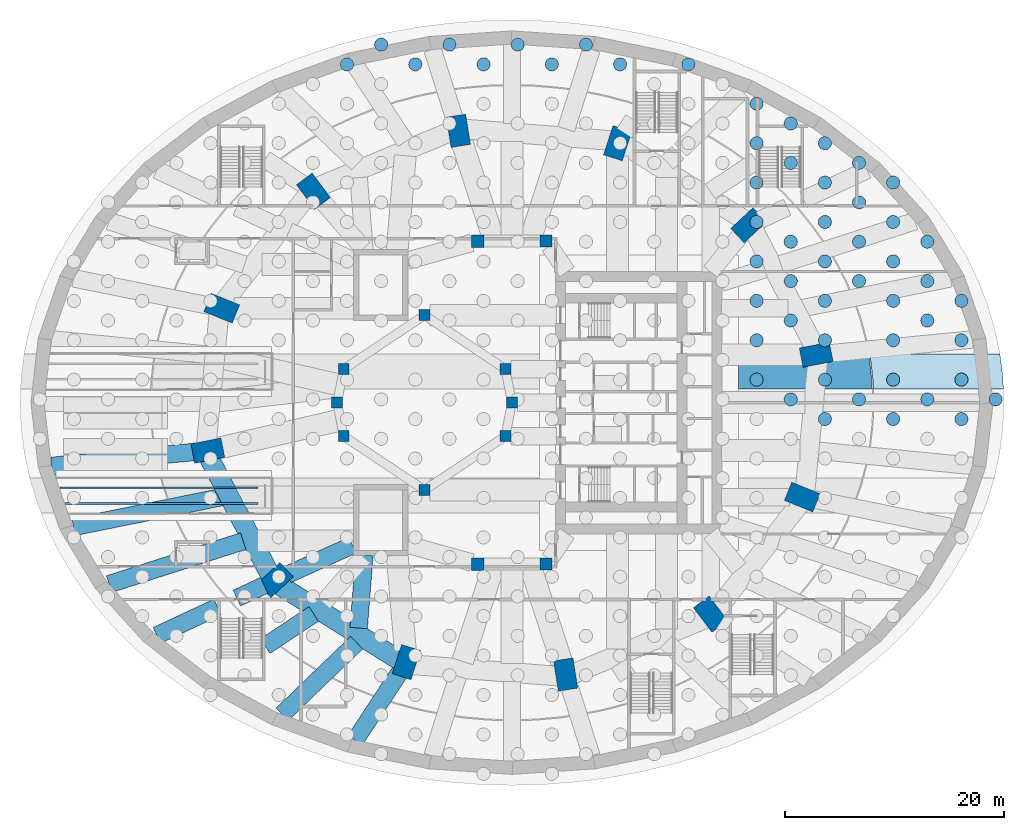
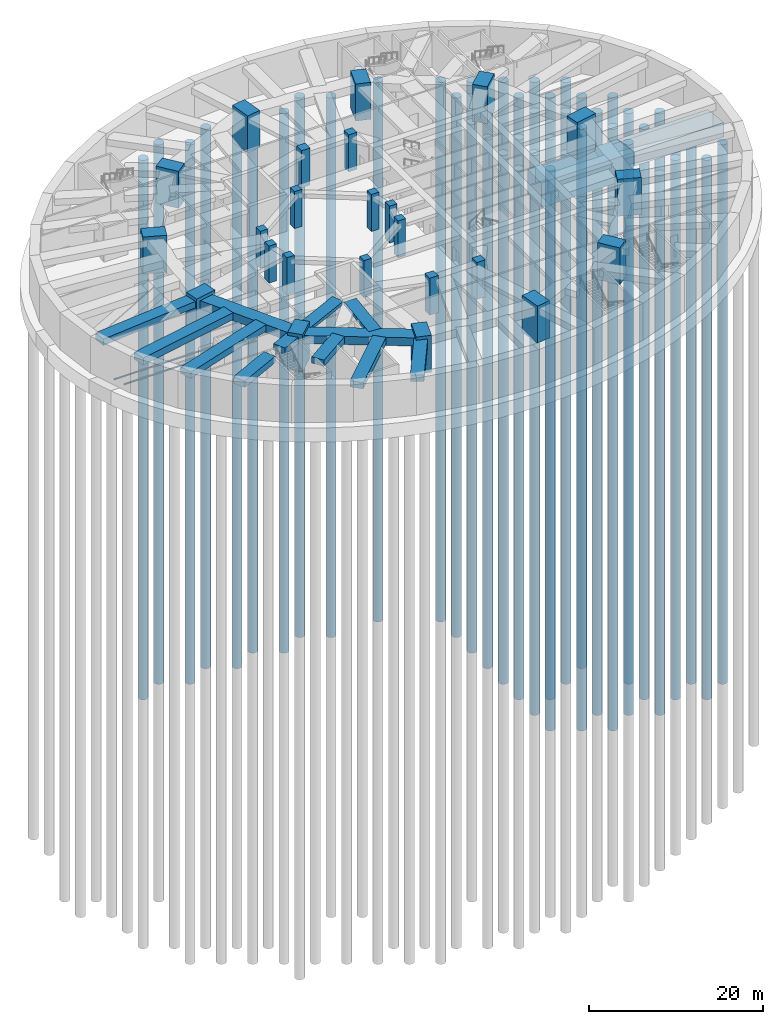
# One storey, part 4 of 18: 53 piles, 24 columns, 12 beams, 2 footings, 2 members.
"""IFC4 building model written with IfcOpenShell, lengths in metres."""

from ifc_helpers import new_model, si_unit, direction, frame, origin, origin_with_axes, origin_2d, place, context, subcontext, project, spatial, polyline, rectangle, circle, i_section, outline, extrude, material, layer, layer_set, material_profile, profile_set, type_object, element, save


model = new_model("IFC4")

# Units and contexts
model_context = context("Model", 3, precision=1e-05, world=origin(), true_north=direction((0.0, 1.0)))
body_context = subcontext(model_context, "Body", "Model", "MODEL_VIEW")
ifc_project = project(units=[si_unit("LENGTHUNIT", "METRE"), si_unit("AREAUNIT", "SQUARE_METRE"), si_unit("VOLUMEUNIT", "CUBIC_METRE"), si_unit("PLANEANGLEUNIT", "RADIAN"), si_unit("MASSUNIT", "GRAM", prefix="KILO")], contexts=[model_context])

# Site, building, storey
site_placement = place(None, origin())
site = spatial("IfcSite", under=ifc_project, at=site_placement, CompositionType="ELEMENT")
building_placement = place(site_placement, origin())
building = spatial("IfcBuilding", under=site, at=building_placement, Name="Taillehof Tower", CompositionType="ELEMENT")
storey_placement = place(building_placement, frame((0.0, 0.0, -10.39990234375)))
storey = spatial("IfcBuildingStorey", under=building, at=storey_placement, Name="B2", CompositionType="ELEMENT", Elevation=-10.39990234375)

# Piles
ifc_material_1 = material(Name="Concrete C30/37", Category="concrete")
ifc_material_profile_1 = material_profile(ifc_material_1, circle(Radius=0.60009765625, at=origin_2d()), Name="BP D1200")
ifc_profile_set_1 = profile_set([ifc_material_profile_1], Name="Concrete C30/37")
pile_type = type_object("IfcPileType", Name="Bored pile D1200", PredefinedType="BORED", material=ifc_profile_set_1)
pile_1_placement = place(storey_placement, frame((28.618408203125, -1.501708984375, -3.402099609375), z_axis=(0.0, 0.0, -1.0), x_axis=(1.0, 0.0, 0.0)))
element("IfcPile", 1, at=pile_1_placement, inside=storey, type_object=pile_type, Name="Pile 171", PredefinedType="BORED", context=body_context, shape_type="SweptSolid", body=[
    extrude(circle(Radius=0.60009765625, at=origin_2d()), origin(), (0.0, 0.0, 1.0), 74.298095703125),
])
for number, where, z_axis, x_axis, name in (
    (2, (34.8623046875, -1.501708984375, -1.902099609375), (0.0, 0.0, -1.0), (1.0, 0.0, 0.0), "Pile 172"),
    (3, (41.106201171875, -1.50146484375, -1.902099609375), (0.0, 0.0, -1.0), (1.0, 0.0, 0.0), "Pile 173"),
):
    element("IfcPile", number, at=place(storey_placement, frame(where, z_axis=z_axis, x_axis=x_axis)), inside=storey, type_object=pile_type, Name=name, PredefinedType="BORED", context=body_context, shape_type="SweptSolid", body=[
        extrude(circle(Radius=0.60009765625, at=origin_2d()), origin(), (0.0, 0.0, 1.0), 75.798095703125),
    ])
for number, where, z_axis, x_axis, name in (
    (4, (25.496337890625, 0.30078125, -3.402099609375), (0.0, 0.0, -1.0), (1.0, 0.0, 0.0), "Pile 185"),
    (5, (31.740234375, 0.30078125, -3.402099609375), (0.0, 0.0, -1.0), (1.0, 0.0, 0.0), "Pile 186"),
):
    element("IfcPile", number, at=place(storey_placement, frame(where, z_axis=z_axis, x_axis=x_axis)), inside=storey, type_object=pile_type, Name=name, PredefinedType="BORED", context=body_context, shape_type="SweptSolid", body=[
        extrude(circle(Radius=0.60009765625, at=origin_2d()), origin(), (0.0, 0.0, 1.0), 74.298095703125),
    ])
for number, where, z_axis, x_axis, name in (
    (6, (37.984375, 0.30078125, -1.902099609375), (0.0, 0.0, -1.0), (1.0, 0.0, 0.0), "Pile 187"),
    (7, (44.228271484375, 0.301025390625, -1.902099609375), (0.0, 0.0, -1.0), (1.0, 0.0, 0.0), "Pile 188"),
):
    element("IfcPile", number, at=place(storey_placement, frame(where, z_axis=z_axis, x_axis=x_axis)), inside=storey, type_object=pile_type, Name=name, PredefinedType="BORED", context=body_context, shape_type="SweptSolid", body=[
        extrude(circle(Radius=0.60009765625, at=origin_2d()), origin(), (0.0, 0.0, 1.0), 75.798095703125),
    ])
for number, where, z_axis, x_axis, name in (
    (8, (22.37451171875, 2.103271484375, -3.402099609375), (0.0, 0.0, -1.0), (1.0, 0.0, 0.0), "Pile 198"),
    (9, (28.618408203125, 2.103271484375, -3.402099609375), (0.0, 0.0, -1.0), (1.0, 0.0, 0.0), "Pile 199"),
):
    element("IfcPile", number, at=place(storey_placement, frame(where, z_axis=z_axis, x_axis=x_axis)), inside=storey, type_object=pile_type, Name=name, PredefinedType="BORED", context=body_context, shape_type="SweptSolid", body=[
        extrude(circle(Radius=0.60009765625, at=origin_2d()), origin(), (0.0, 0.0, 1.0), 74.298095703125),
    ])
for number, where, z_axis, x_axis, name in (
    (10, (34.8623046875, 2.103271484375, -1.902099609375), (0.0, 0.0, -1.0), (1.0, 0.0, 0.0), "Pile 200"),
    (11, (41.106201171875, 2.103515625, -1.902099609375), (0.0, 0.0, -1.0), (1.0, 0.0, 0.0), "Pile 201"),
):
    element("IfcPile", number, at=place(storey_placement, frame(where, z_axis=z_axis, x_axis=x_axis)), inside=storey, type_object=pile_type, Name=name, PredefinedType="BORED", context=body_context, shape_type="SweptSolid", body=[
        extrude(circle(Radius=0.60009765625, at=origin_2d()), origin(), (0.0, 0.0, 1.0), 75.798095703125),
    ])
for number, where, z_axis, x_axis, name in (
    (12, (22.37451171875, 5.7080078125, -3.402099609375), (0.0, 0.0, -1.0), (1.0, 0.0, 0.0), "Pile 215"),
    (13, (28.618408203125, 5.708251953125, -3.402099609375), (0.0, 0.0, -1.0), (1.0, 0.0, 0.0), "Pile 216"),
):
    element("IfcPile", number, at=place(storey_placement, frame(where, z_axis=z_axis, x_axis=x_axis)), inside=storey, type_object=pile_type, Name=name, PredefinedType="BORED", context=body_context, shape_type="SweptSolid", body=[
        extrude(circle(Radius=0.60009765625, at=origin_2d()), origin(), (0.0, 0.0, 1.0), 74.298095703125),
    ])
for number, where, z_axis, x_axis, name in (
    (14, (34.8623046875, 5.708251953125, -1.902099609375), (0.0, 0.0, -1.0), (1.0, 0.0, 0.0), "Pile 217"),
    (15, (41.1064453125, 5.708251953125, -1.902099609375), (0.0, 0.0, -1.0), (1.0, 0.0, 0.0), "Pile 218"),
):
    element("IfcPile", number, at=place(storey_placement, frame(where, z_axis=z_axis, x_axis=x_axis)), inside=storey, type_object=pile_type, Name=name, PredefinedType="BORED", context=body_context, shape_type="SweptSolid", body=[
        extrude(circle(Radius=0.60009765625, at=origin_2d()), origin(), (0.0, 0.0, 1.0), 75.798095703125),
    ])
pile_2_placement = place(storey_placement, frame((25.496337890625, 7.510498046875, -3.402099609375), z_axis=(0.0, 0.0, -1.0), x_axis=(1.0, 0.0, 0.0)))
element("IfcPile", 16, at=pile_2_placement, inside=storey, type_object=pile_type, Name="Pile 229", PredefinedType="BORED", context=body_context, shape_type="SweptSolid", body=[
    extrude(circle(Radius=0.60009765625, at=origin_2d()), origin(), (0.0, 0.0, 1.0), 74.298095703125),
])
pile_3_placement = place(storey_placement, frame((37.984375, 7.5107421875, -1.902099609375), z_axis=(0.0, 0.0, -1.0), x_axis=(1.0, 0.0, 0.0)))
element("IfcPile", 17, at=pile_3_placement, inside=storey, type_object=pile_type, Name="Pile 230", PredefinedType="BORED", context=body_context, shape_type="SweptSolid", body=[
    extrude(circle(Radius=0.60009765625, at=origin_2d()), origin(), (0.0, 0.0, 1.0), 75.798095703125),
])
for number, where, z_axis, x_axis, name in (
    (18, (22.37451171875, 9.31298828125, -3.402099609375), (0.0, 0.0, -1.0), (1.0, 0.0, 0.0), "Pile 241"),
    (19, (28.618408203125, 9.31298828125, -3.402099609375), (0.0, 0.0, -1.0), (1.0, 0.0, 0.0), "Pile 242"),
):
    element("IfcPile", number, at=place(storey_placement, frame(where, z_axis=z_axis, x_axis=x_axis)), inside=storey, type_object=pile_type, Name=name, PredefinedType="BORED", context=body_context, shape_type="SweptSolid", body=[
        extrude(circle(Radius=0.60009765625, at=origin_2d()), origin(), (0.0, 0.0, 1.0), 74.298095703125),
    ])
for number, where, z_axis, x_axis, name in (
    (20, (34.8623046875, 9.313232421875, -1.902099609375), (0.0, 0.0, -1.0), (1.0, 0.0, 0.0), "Pile 243"),
    (21, (41.1064453125, 9.313232421875, -1.902099609375), (0.0, 0.0, -1.0), (1.0, 0.0, 0.0), "Pile 244"),
):
    element("IfcPile", number, at=place(storey_placement, frame(where, z_axis=z_axis, x_axis=x_axis)), inside=storey, type_object=pile_type, Name=name, PredefinedType="BORED", context=body_context, shape_type="SweptSolid", body=[
        extrude(circle(Radius=0.60009765625, at=origin_2d()), origin(), (0.0, 0.0, 1.0), 75.798095703125),
    ])
pile_4_placement = place(storey_placement, frame((25.49658203125, 11.115478515625, -3.402099609375), z_axis=(0.0, 0.0, -1.0), x_axis=(1.0, 0.0, 0.0)))
element("IfcPile", 22, at=pile_4_placement, inside=storey, type_object=pile_type, Name="Pile 254", PredefinedType="BORED", context=body_context, shape_type="SweptSolid", body=[
    extrude(circle(Radius=0.60009765625, at=origin_2d()), origin(), (0.0, 0.0, 1.0), 74.298095703125),
])
for number, where, z_axis, x_axis, name in (
    (23, (31.740478515625, 11.115478515625, -1.902099609375), (0.0, 0.0, -1.0), (1.0, 0.0, 0.0), "Pile 255"),
    (24, (37.984619140625, 11.11572265625, -1.902099609375), (0.0, 0.0, -1.0), (1.0, 0.0, 0.0), "Pile 256"),
):
    element("IfcPile", number, at=place(storey_placement, frame(where, z_axis=z_axis, x_axis=x_axis)), inside=storey, type_object=pile_type, Name=name, PredefinedType="BORED", context=body_context, shape_type="SweptSolid", body=[
        extrude(circle(Radius=0.60009765625, at=origin_2d()), origin(), (0.0, 0.0, 1.0), 75.798095703125),
    ])
for number, where, z_axis, x_axis, name in (
    (25, (22.37451171875, 12.91796875, -3.402099609375), (0.0, 0.0, -1.0), (1.0, 0.0, 0.0), "Pile 264"),
    (26, (28.618408203125, 12.91796875, -3.402099609375), (0.0, 0.0, -1.0), (1.0, 0.0, 0.0), "Pile 265"),
):
    element("IfcPile", number, at=place(storey_placement, frame(where, z_axis=z_axis, x_axis=x_axis)), inside=storey, type_object=pile_type, Name=name, PredefinedType="BORED", context=body_context, shape_type="SweptSolid", body=[
        extrude(circle(Radius=0.60009765625, at=origin_2d()), origin(), (0.0, 0.0, 1.0), 74.298095703125),
    ])
pile_5_placement = place(storey_placement, frame((34.862548828125, 12.918212890625, -1.902099609375), z_axis=(0.0, 0.0, -1.0), x_axis=(1.0, 0.0, 0.0)))
element("IfcPile", 27, at=pile_5_placement, inside=storey, type_object=pile_type, Name="Pile 266", PredefinedType="BORED", context=body_context, shape_type="SweptSolid", body=[
    extrude(circle(Radius=0.60009765625, at=origin_2d()), origin(), (0.0, 0.0, 1.0), 75.798095703125),
])
pile_6_placement = place(storey_placement, frame((25.49658203125, 14.720458984375, -3.402099609375), z_axis=(0.0, 0.0, -1.0), x_axis=(1.0, 0.0, 0.0)))
element("IfcPile", 28, at=pile_6_placement, inside=storey, type_object=pile_type, Name="Pile 277", PredefinedType="BORED", context=body_context, shape_type="SweptSolid", body=[
    extrude(circle(Radius=0.60009765625, at=origin_2d()), origin(), (0.0, 0.0, 1.0), 74.298095703125),
])
for number, where, z_axis, x_axis, name in (
    (29, (31.740478515625, 14.720458984375, -1.902099609375), (0.0, 0.0, -1.0), (1.0, 0.0, 0.0), "Pile 278"),
    (30, (37.984619140625, 14.720703125, -1.902099609375), (0.0, 0.0, -1.0), (1.0, 0.0, 0.0), "Pile 279"),
):
    element("IfcPile", number, at=place(storey_placement, frame(where, z_axis=z_axis, x_axis=x_axis)), inside=storey, type_object=pile_type, Name=name, PredefinedType="BORED", context=body_context, shape_type="SweptSolid", body=[
        extrude(circle(Radius=0.60009765625, at=origin_2d()), origin(), (0.0, 0.0, 1.0), 75.798095703125),
    ])
pile_7_placement = place(storey_placement, frame((22.37451171875, 16.522705078125, -3.402099609375), z_axis=(0.0, 0.0, -1.0), x_axis=(1.0, 0.0, 0.0)))
element("IfcPile", 31, at=pile_7_placement, inside=storey, type_object=pile_type, Name="Pile 288", PredefinedType="BORED", context=body_context, shape_type="SweptSolid", body=[
    extrude(circle(Radius=0.60009765625, at=origin_2d()), origin(), (0.0, 0.0, 1.0), 74.298095703125),
])
for number, where, z_axis, x_axis, name in (
    (32, (28.618408203125, 16.52294921875, -1.902099609375), (0.0, 0.0, -1.0), (1.0, 0.0, 0.0), "Pile 289"),
    (33, (34.862548828125, 16.52294921875, -1.902099609375), (0.0, 0.0, -1.0), (1.0, 0.0, 0.0), "Pile 290"),
    (34, (31.740478515625, 18.325439453125, -1.902099609375), (0.0, 0.0, -1.0), (1.0, 0.0, 0.0), "Pile 301"),
):
    element("IfcPile", number, at=place(storey_placement, frame(where, z_axis=z_axis, x_axis=x_axis)), inside=storey, type_object=pile_type, Name=name, PredefinedType="BORED", context=body_context, shape_type="SweptSolid", body=[
        extrude(circle(Radius=0.60009765625, at=origin_2d()), origin(), (0.0, 0.0, 1.0), 75.798095703125),
    ])
pile_8_placement = place(storey_placement, frame((22.37451171875, 20.127685546875, -3.402099609375), z_axis=(0.0, 0.0, -1.0), x_axis=(1.0, 0.0, 0.0)))
element("IfcPile", 35, at=pile_8_placement, inside=storey, type_object=pile_type, Name="Pile 311", PredefinedType="BORED", context=body_context, shape_type="SweptSolid", body=[
    extrude(circle(Radius=0.60009765625, at=origin_2d()), origin(), (0.0, 0.0, 1.0), 74.298095703125),
])
for number, where, z_axis, x_axis, name in (
    (36, (28.61865234375, 20.127685546875, -1.902099609375), (0.0, 0.0, -1.0), (1.0, 0.0, 0.0), "Pile 312"),
    (37, (34.862548828125, 20.1279296875, -1.902099609375), (0.0, 0.0, -1.0), (1.0, 0.0, 0.0), "Pile 313"),
    (38, (25.49658203125, 21.930419921875, -1.902099609375), (0.0, 0.0, -1.0), (1.0, 0.0, 0.0), "Pile 323"),
    (39, (31.740478515625, 21.930419921875, -1.902099609375), (0.0, 0.0, -1.0), (1.0, 0.0, 0.0), "Pile 324"),
    (40, (22.37451171875, 23.732666015625, -1.902099609375), (0.0, 0.0, -1.0), (1.0, 0.0, 0.0), "Pile 333"),
    (41, (28.61865234375, 23.73291015625, -1.902099609375), (0.0, 0.0, -1.0), (1.0, 0.0, 0.0), "Pile 334"),
    (42, (25.49658203125, 25.53515625, -1.902099609375), (0.0, 0.0, -1.0), (1.0, 0.0, 0.0), "Pile 343"),
    (43, (22.374755859375, 27.337646484375, -1.902099609375), (0.0, 0.0, -1.0), (1.0, 0.0, 0.0), "Pile 349"),
    (44, (-15.08935546875, 30.94189453125, -1.902099609375), (0.0, 0.0, -1.0), (1.0, 0.0, 0.0), "Pile 354"),
    (45, (-8.84521484375, 30.942138671875, -1.902099609375), (0.0, 0.0, -1.0), (1.0, 0.0, 0.0), "Pile 355"),
    (46, (-2.601318359375, 30.942138671875, -1.902099609375), (0.0, 0.0, -1.0), (1.0, 0.0, 0.0), "Pile 356"),
    (47, (3.642578125, 30.9423828125, -1.902099609375), (0.0, 0.0, -1.0), (1.0, 0.0, 0.0), "Pile 357"),
    (48, (9.88671875, 30.9423828125, -1.902099609375), (0.0, 0.0, -1.0), (1.0, 0.0, 0.0), "Pile 358"),
    (49, (16.130615234375, 30.9423828125, -1.902099609375), (0.0, 0.0, -1.0), (1.0, 0.0, 0.0), "Pile 359"),
    (50, (-11.96728515625, 32.744384765625, -1.902099609375), (0.0, 0.0, -1.0), (1.0, 0.0, 0.0), "Pile 360"),
    (51, (-5.72314453125, 32.74462890625, -1.902099609375), (0.0, 0.0, -1.0), (1.0, 0.0, 0.0), "Pile 361"),
    (52, (0.520751953125, 32.74462890625, -1.902099609375), (0.0, 0.0, -1.0), (1.0, 0.0, 0.0), "Pile 362"),
    (53, (6.7646484375, 32.744873046875, -1.902099609375), (0.0, 0.0, -1.0), (1.0, 0.0, 0.0), "Pile 363"),
):
    element("IfcPile", number, at=place(storey_placement, frame(where, z_axis=z_axis, x_axis=x_axis)), inside=storey, type_object=pile_type, Name=name, PredefinedType="BORED", context=body_context, shape_type="SweptSolid", body=[
        extrude(circle(Radius=0.60009765625, at=origin_2d()), origin(), (0.0, 0.0, 1.0), 75.798095703125),
    ])

# Footings
ifc_material_2 = material(Name="Concrete C35/45", Category="concrete")
ifc_layer_1 = layer(ifc_material_2, 2.0)
ifc_layer_set_1 = layer_set([ifc_layer_1], Name="Podium raft 2000")
footing_type_1 = type_object("IfcFootingType", Name="Podium raft 2000", PredefinedType="PILE_CAP", material=ifc_layer_set_1)
footing_1_placement = place(storey_placement, frame((0.0, 0.0, -2.002197265625)))
element("IfcFooting", 54, at=footing_1_placement, inside=storey, type_object=footing_type_1, Name="Podium raft", PredefinedType="PILE_CAP", context=body_context, shape_type="SweptSolid", body=[
    extrude(outline(polyline([(44.903564453125, 2.2890625), (44.947265625, 1.25), (33.053466796875, 1.25), (33.029296875, 1.900390625), (33.02880859375, 1.90771484375), (32.817138671875, 3.79638671875), (32.81591796875, 3.8037109375), (32.694580078125, 4.449951171875), (44.630126953125, 4.449951171875), (44.903564453125, 2.2890625)])), origin(), (0.0, 0.0, 1.0), 2.0),
])
ifc_material_3 = material(Name="Concrete C35/45", Category="concrete")
ifc_layer_2 = layer(ifc_material_3, 3.5)
ifc_layer_set_2 = layer_set([ifc_layer_2], Name="Tower raft 3500")
footing_type_2 = type_object("IfcFootingType", Name="Tower raft 3500", PredefinedType="PILE_CAP", material=ifc_layer_set_2)
footing_2_placement = place(storey_placement, frame((0.0, 0.0, -3.502197265625)))
element("IfcFooting", 55, at=footing_2_placement, inside=storey, type_object=footing_type_2, Name="Tower raft", PredefinedType="PILE_CAP", context=body_context, shape_type="SweptSolid", body=[
    extrude(outline(polyline([(32.7177734375, 3.78515625), (32.929443359375, 1.896728515625), (32.953369140625, 1.25), (20.699951171875, 1.25), (20.699951171875, 4.449951171875), (32.5927734375, 4.449951171875), (32.7177734375, 3.78515625)])), origin(), (0.0, 0.0, 1.0), 3.5),
])

# Columns
ifc_material_4 = material(Name="Concrete C50/60", Category="concrete")
ifc_material_profile_2 = material_profile(ifc_material_4, rectangle(XDim=1.0, YDim=1.0, at=origin_2d()), Name="RC 1000x1000")
ifc_profile_set_2 = profile_set([ifc_material_profile_2], Name="Concrete C50/60")
column_type_1 = type_object("IfcColumnType", Name="Atrium ring column C50/60 1000x1000", PredefinedType="COLUMN", material=ifc_profile_set_2)
column_placement = place(storey_placement, origin_with_axes())
element("IfcColumn", 56, at=column_placement, inside=storey, type_object=column_type_1, Name="Column AC01", PredefinedType="COLUMN", context=body_context, shape_type="SweptSolid", body=[
    extrude(rectangle(XDim=1.0, YDim=1.0, at=origin_2d()), origin(), (0.0, 0.0, 1.0), 5.199951171875),
])
ifc_material_5 = material(Name="Concrete C60/75", Category="concrete")
ifc_material_profile_3 = material_profile(ifc_material_5, rectangle(XDim=1.0, YDim=1.0, at=origin_2d()), Name="RC 1000x1000")
ifc_profile_set_3 = profile_set([ifc_material_profile_3], Name="Concrete C60/75")
column_type_2 = type_object("IfcColumnType", Name="Atrium ring column C60/75 1000x1000", PredefinedType="COLUMN", material=ifc_profile_set_3)
for number, where, z_axis, x_axis, name in (
    (57, (-8.0, 8.0, 0.0), (0.0, 0.0, 1.0), (1.0, 0.0, 0.0), "Column AC05"),
    (58, (-15.39111328125, 3.0615234375, 0.0), (0.0, 0.0, 1.0), (1.0, 0.0, 0.0), "Column AC08"),
    (59, (-16.0, 0.0, 0.0), (0.0, 0.0, 1.0), (1.0, 0.0, 0.0), "Column AC09"),
    (60, (-15.39111328125, -3.0615234375, 0.0), (0.0, 0.0, 1.0), (1.0, 0.0, 0.0), "Column AC10"),
    (61, (-8.0, -8.0, 0.0), (0.0, 0.0, 1.0), (1.0, 0.0, 0.0), "Column AC13"),
):
    element("IfcColumn", number, at=place(storey_placement, frame(where, z_axis=z_axis, x_axis=x_axis)), inside=storey, type_object=column_type_2, Name=name, PredefinedType="COLUMN", context=body_context, shape_type="SweptSolid", body=[
        extrude(rectangle(XDim=1.0, YDim=1.0, at=origin_2d()), origin(), (0.0, 0.0, 1.0), 5.199951171875),
    ])
ifc_material_6 = material(Name="Concrete C70/85", Category="concrete")
ifc_material_profile_4 = material_profile(ifc_material_6, rectangle(XDim=1.0, YDim=1.0, at=origin_2d()), Name="RC 1000x1000")
ifc_profile_set_4 = profile_set([ifc_material_profile_4], Name="Concrete C70/85")
column_type_3 = type_object("IfcColumnType", Name="Atrium ring column C70/85 1000x1000", PredefinedType="COLUMN", material=ifc_profile_set_4)
for number, where, z_axis, x_axis, name in (
    (62, (-0.60888671875, 3.0615234375, 0.0), (0.0, 0.0, 1.0), (1.0, 0.0, 0.0), "Column AC02"),
    (63, (-0.60888671875, -3.0615234375, 0.0), (0.0, 0.0, 1.0), (1.0, 0.0, 0.0), "Column AC16"),
):
    element("IfcColumn", number, at=place(storey_placement, frame(where, z_axis=z_axis, x_axis=x_axis)), inside=storey, type_object=column_type_3, Name=name, PredefinedType="COLUMN", context=body_context, shape_type="SweptSolid", body=[
        extrude(rectangle(XDim=1.0, YDim=1.0, at=origin_2d()), origin(), (0.0, 0.0, 1.0), 5.199951171875),
    ])
ifc_material_7 = material(Name="Concrete C80/95", Category="concrete")
ifc_material_profile_5 = material_profile(ifc_material_7, rectangle(XDim=2.800048828125, YDim=1.800048828125, at=origin_2d()), Name="RC 2800x1800")
ifc_profile_set_5 = profile_set([ifc_material_profile_5], Name="Concrete C80/95")
column_type_4 = type_object("IfcColumnType", Name="Mega column C80/95 2800x1800", PredefinedType="COLUMN", material=ifc_profile_set_5)
for number, where, z_axis, x_axis, name in (
    (64, (27.82080078125, 4.384521484375, 0.0), (0.0, 0.0, 1.0), (0.98120354895, 0.192975634545, 0.0), "Mega column MG01"),
    (65, (21.640869140625, 16.23046875, 0.0), (0.0, 0.0, 1.0), (0.730113022917, 0.683326403535, 0.0), "Mega column MG02"),
    (66, (9.662109375, 23.727294921875, 0.0), (0.0, 0.0, 1.0), (0.310219183529, 0.950665060981, 0.0), "Mega column MG03"),
    (67, (-4.905517578125, 24.866455078125, 0.0), (0.0, 0.0, 1.0), (-0.15614709407, 0.987733812833, 0.0), "Mega column MG04"),
    (68, (-18.15869140625, 19.342529296875, 0.0), (0.0, 0.0, 1.0), (-0.601173783055, 0.79911831575, 0.0), "Mega column MG05"),
    (69, (-26.54638671875, 8.635986328125, 0.0), (0.0, 0.0, 1.0), (-0.926558045297, 0.37615181602, 0.0), "Mega column MG06"),
    (70, (-27.82080078125, -4.384521484375, 0.0), (0.0, 0.0, 1.0), (-0.98120354895, -0.192975634545, 0.0), "Mega column MG07"),
    (71, (-21.640869140625, -16.23046875, 0.0), (0.0, 0.0, 1.0), (-0.730113022917, -0.683326403535, 0.0), "Mega column MG08"),
    (72, (-9.662109375, -23.727294921875, 0.0), (0.0, 0.0, 1.0), (-0.310219183529, -0.950665060981, 0.0), "Mega column MG09"),
    (73, (4.905517578125, -24.866455078125, 0.0), (0.0, 0.0, 1.0), (0.15614709407, -0.987733812833, 0.0), "Mega column MG10"),
    (74, (18.15869140625, -19.342529296875, 0.0), (0.0, 0.0, 1.0), (0.601173783055, -0.79911831575, 0.0), "Mega column MG11"),
    (75, (26.54638671875, -8.635986328125, 0.0), (0.0, 0.0, 1.0), (0.926558045297, -0.37615181602, 0.0), "Mega column MG12"),
):
    element("IfcColumn", number, at=place(storey_placement, frame(where, z_axis=z_axis, x_axis=x_axis)), inside=storey, type_object=column_type_4, Name=name, PredefinedType="COLUMN", context=body_context, shape_type="SweptSolid", body=[
        extrude(rectangle(XDim=2.800048828125, YDim=1.800048828125, at=origin_2d()), origin(), (0.0, 0.0, 1.0), 5.199951171875),
    ])
ifc_material_8 = material(Name="Concrete C70/85", Category="concrete")
ifc_material_profile_6 = material_profile(ifc_material_8, rectangle(XDim=1.10009765625, YDim=1.10009765625, at=origin_2d()), Name="RC 1100x1100")
ifc_profile_set_6 = profile_set([ifc_material_profile_6], Name="Concrete C70/85")
column_type_5 = type_object("IfcColumnType", Name="Mid-ring column C70/85 1100x1100", PredefinedType="COLUMN", material=ifc_profile_set_6)
for number, where, z_axis, x_axis, name in (
    (76, (3.125732421875, 14.772216796875, 0.0), (0.0, 0.0, 1.0), (1.0, 0.0, 0.0), "Column MC05"),
    (77, (3.125732421875, -14.772216796875, 0.0), (0.0, 0.0, 1.0), (1.0, 0.0, 0.0), "Column MC15"),
):
    element("IfcColumn", number, at=place(storey_placement, frame(where, z_axis=z_axis, x_axis=x_axis)), inside=storey, type_object=column_type_5, Name=name, PredefinedType="COLUMN", context=body_context, shape_type="SweptSolid", body=[
        extrude(rectangle(XDim=1.10009765625, YDim=1.10009765625, at=origin_2d()), origin(), (0.0, 0.0, 1.0), 5.199951171875),
    ])
ifc_material_9 = material(Name="Concrete C80/95", Category="concrete")
ifc_material_profile_7 = material_profile(ifc_material_9, rectangle(XDim=1.14990234375, YDim=1.14990234375, at=origin_2d()), Name="RC 1150x1150")
ifc_profile_set_7 = profile_set([ifc_material_profile_7], Name="Concrete C80/95")
column_type_6 = type_object("IfcColumnType", Name="Mid-ring column C80/95 1150x1150", PredefinedType="COLUMN", material=ifc_profile_set_7)
for number, where, z_axis, x_axis, name in (
    (78, (-3.125732421875, 14.772216796875, 0.0), (0.0, 0.0, 1.0), (1.0, 0.0, 0.0), "Column MC06"),
    (79, (-3.125732421875, -14.772216796875, 0.0), (0.0, 0.0, 1.0), (1.0, 0.0, 0.0), "Column MC14"),
):
    element("IfcColumn", number, at=place(storey_placement, frame(where, z_axis=z_axis, x_axis=x_axis)), inside=storey, type_object=column_type_6, Name=name, PredefinedType="COLUMN", context=body_context, shape_type="SweptSolid", body=[
        extrude(rectangle(XDim=1.14990234375, YDim=1.14990234375, at=origin_2d()), origin(), (0.0, 0.0, 1.0), 5.199951171875),
    ])

# Beams
ifc_material_10 = material(Name="Concrete C50/60", Category="concrete")
ifc_material_profile_8 = material_profile(ifc_material_10, rectangle(XDim=1.60009765625, YDim=1.0, at=origin_2d()), Name="RC 1600x1000")
ifc_profile_set_8 = profile_set([ifc_material_profile_8], Name="Concrete C50/60")
beam_type_1 = type_object("IfcBeamType", Name="Podium radial beam C50/60 1600x1000", PredefinedType="BEAM", material=ifc_profile_set_8)
beam_1_placement = place(storey_placement, frame((-40.097412109375, -11.376220703125, 4.25), z_axis=(0.980159529248, 0.198210234914, 0.0), x_axis=(-0.198210234914, 0.980159529248, 0.0)))
element("IfcBeam", 80, at=beam_1_placement, inside=storey, type_object=beam_type_1, Name="Podium radial beam PR21", PredefinedType="BEAM", context=body_context, shape_type="SweptSolid", body=[
    extrude(rectangle(XDim=1.60009765625, YDim=1.0, at=origin_2d()), origin(), (0.0, 0.0, 1.0), 13.785400390625),
])
ifc_material_11 = material(Name="Concrete C50/60", Category="concrete")
ifc_material_profile_9 = material_profile(ifc_material_11, rectangle(XDim=1.60009765625, YDim=0.89990234375, at=origin_2d()), Name="RC 1600x900")
ifc_profile_set_9 = profile_set([ifc_material_profile_9], Name="Concrete C50/60")
beam_type_2 = type_object("IfcBeamType", Name="Podium radial beam C50/60 1600x900", PredefinedType="BEAM", material=ifc_profile_set_9)
beam_2_placement = place(storey_placement, frame((-42.103271484375, -5.78369140625, 4.2998046875), z_axis=(0.995236796201, 0.097487022149, 0.0), x_axis=(-0.097487022149, 0.995236796201, 0.0)))
element("IfcBeam", 81, at=beam_2_placement, inside=storey, type_object=beam_type_2, Name="Podium radial beam PR20", PredefinedType="BEAM", context=body_context, shape_type="SweptSolid", body=[
    extrude(rectangle(XDim=1.60009765625, YDim=0.89990234375, at=origin_2d()), origin(), (0.0, 0.0, 1.0), 13.258056640625),
])
beam_3_placement = place(storey_placement, frame((-36.850341796875, -16.59765625, 4.2998046875), z_axis=(0.952213964382, 0.305431769852, 0.0), x_axis=(-0.305431769852, 0.952213964382, 0.0)))
element("IfcBeam", 82, at=beam_3_placement, inside=storey, type_object=beam_type_2, Name="Podium radial beam PR22", PredefinedType="BEAM", context=body_context, shape_type="SweptSolid", body=[
    extrude(rectangle(XDim=1.60009765625, YDim=0.89990234375, at=origin_2d()), origin(), (0.0, 0.0, 1.0), 12.88037109375),
])
beam_4_placement = place(storey_placement, frame((-32.48193359375, -21.2841796875, 4.2998046875), z_axis=(0.906347874546, 0.422532283152, 0.0), x_axis=(-0.422532283152, 0.906347874546, 0.0)))
element("IfcBeam", 83, at=beam_4_placement, inside=storey, type_object=beam_type_2, Name="Podium radial beam PR23", PredefinedType="BEAM", context=body_context, shape_type="SweptSolid", body=[
    extrude(rectangle(XDim=1.60009765625, YDim=0.89990234375, at=origin_2d()), origin(), (0.0, 0.0, 1.0), 6.131103515625),
])
beam_5_placement = place(storey_placement, frame((-25.168701171875, -17.875, 4.2998046875), z_axis=(0.906343651761, 0.422541341068, 0.0), x_axis=(-0.422541341068, 0.906343651761, 0.0)))
element("IfcBeam", 84, at=beam_5_placement, inside=storey, type_object=beam_type_2, Name="Podium radial beam PR23", PredefinedType="BEAM", context=body_context, shape_type="SweptSolid", body=[
    extrude(rectangle(XDim=1.60009765625, YDim=0.89990234375, at=origin_2d()), origin(), (0.0, 0.0, 1.0), 2.7578125),
])
beam_6_placement = place(storey_placement, frame((-22.574951171875, -22.2666015625, 4.2998046875), z_axis=(0.833802188261, 0.552063321415, 0.0), x_axis=(-0.552063321415, 0.833802188261, 0.0)))
element("IfcBeam", 85, at=beam_6_placement, inside=storey, type_object=beam_type_2, Name="Podium radial beam PR24", PredefinedType="BEAM", context=body_context, shape_type="SweptSolid", body=[
    extrude(rectangle(XDim=1.60009765625, YDim=0.89990234375, at=origin_2d()), origin(), (0.0, 0.0, 1.0), 5.325927734375),
])
beam_7_placement = place(storey_placement, frame((-21.03564453125, -28.516845703125, 4.2998046875), z_axis=(0.72057855915, 0.693373305004, 0.0), x_axis=(-0.693373305004, 0.72057855915, 0.0)))
element("IfcBeam", 86, at=beam_7_placement, inside=storey, type_object=beam_type_2, Name="Podium radial beam PR25", PredefinedType="BEAM", context=body_context, shape_type="SweptSolid", body=[
    extrude(rectangle(XDim=1.60009765625, YDim=0.89990234375, at=origin_2d()), origin(), (0.0, 0.0, 1.0), 9.4765625),
])
beam_8_placement = place(storey_placement, frame((-14.342041015625, -30.870361328125, 4.2998046875), z_axis=(0.548023085457, 0.836463207682, 0.0), x_axis=(-0.836463207682, 0.548023085457, 0.0)))
element("IfcBeam", 87, at=beam_8_placement, inside=storey, type_object=beam_type_2, Name="Podium radial beam PR26", PredefinedType="BEAM", context=body_context, shape_type="SweptSolid", body=[
    extrude(rectangle(XDim=1.60009765625, YDim=0.89990234375, at=origin_2d()), origin(), (0.0, 0.0, 1.0), 7.42822265625),
])
ifc_material_12 = material(Name="Concrete C50/60", Category="concrete")
ifc_material_profile_10 = material_profile(ifc_material_12, rectangle(XDim=1.60009765625, YDim=0.449951171875, at=origin_2d()), Name="RC 1600x450")
ifc_profile_set_10 = profile_set([ifc_material_profile_10], Name="Concrete C50/60")
beam_type_3 = type_object("IfcBeamType", Name="Radial band beam C50/60 1600x450", PredefinedType="BEAM", material=ifc_profile_set_10)
beam_9_placement = place(storey_placement, frame((-20.54345703125, -15.734130859375, 4.52490234375), z_axis=(0.911098251223, 0.412189248547, 0.0), x_axis=(-0.412189248547, 0.911098251223, 0.0)))
element("IfcBeam", 88, at=beam_9_placement, inside=storey, type_object=beam_type_3, Name="Radial band beam RB23", PredefinedType="BEAM", context=body_context, shape_type="SweptSolid", body=[
    extrude(rectangle(XDim=1.60009765625, YDim=0.449951171875, at=origin_2d()), origin(), (0.0, 0.0, 1.0), 6.545654296875),
])
beam_10_placement = place(storey_placement, frame((-14.025390625, -20.612060546875, 4.52490234375), z_axis=(0.079202161818, 0.996858574505, 0.0), x_axis=(-0.996858574505, 0.079202161818, 0.0)))
element("IfcBeam", 89, at=beam_10_placement, inside=storey, type_object=beam_type_3, Name="Radial band beam RB25", PredefinedType="BEAM", context=body_context, shape_type="SweptSolid", body=[
    extrude(rectangle(XDim=1.60009765625, YDim=0.449951171875, at=origin_2d()), origin(), (0.0, 0.0, 1.0), 6.682861328125),
])
ifc_material_13 = material(Name="Concrete C50/60", Category="concrete")
ifc_material_profile_11 = material_profile(ifc_material_13, rectangle(XDim=1.800048828125, YDim=1.14990234375, at=origin_2d()), Name="RC 1800x1150")
ifc_profile_set_11 = profile_set([ifc_material_profile_11], Name="Concrete C50/60")
beam_type_4 = type_object("IfcBeamType", Name="Ring floor beam C50/60 1800x1150", PredefinedType="BEAM", material=ifc_profile_set_11)
beam_11_placement = place(storey_placement, frame((-27.716552734375, -5.01708984375, 4.1748046875), z_axis=(0.462558439378, -0.88658879429, 0.0), x_axis=(0.88658879429, 0.462558439378, 0.0)))
element("IfcBeam", 90, at=beam_11_placement, inside=storey, type_object=beam_type_4, Name="Ring floor beam RG07", PredefinedType="BEAM", context=body_context, shape_type="SweptSolid", body=[
    extrude(rectangle(XDim=1.800048828125, YDim=1.14990234375, at=origin_2d()), origin(), (0.0, 0.0, 1.0), 12.12841796875),
])
beam_12_placement = place(storey_placement, frame((-21.207275390625, -16.737548828125, 4.1748046875), z_axis=(0.847670289151, -0.530523402774, 0.0), x_axis=(0.530523402774, 0.847670289151, 0.0)))
element("IfcBeam", 91, at=beam_12_placement, inside=storey, type_object=beam_type_4, Name="Ring floor beam RG08", PredefinedType="BEAM", context=body_context, shape_type="SweptSolid", body=[
    extrude(rectangle(XDim=1.800048828125, YDim=1.14990234375, at=origin_2d()), origin(), (0.0, 0.0, 1.0), 12.843505859375),
])

# Members
ifc_material_14 = material(Name="Rail steel R260", Category="steel")
ifc_material_profile_12 = material_profile(ifc_material_14, i_section(OverallWidth=0.14990234375, OverallDepth=0.172119140625, WebThickness=0.0166015625, FlangeThickness=0.030517578125, at=origin_2d()), Name="60E1 rail")
ifc_profile_set_12 = profile_set([ifc_material_profile_12], Name="Rail steel R260")
member_type = type_object("IfcMemberType", Name="Running rail 60E1", PredefinedType="USERDEFINED", material=ifc_profile_set_12)
member_1_placement = place(storey_placement, frame((-40.84130859375, -9.217529296875, -0.416015625), z_axis=(1.0, 0.0, 0.0), x_axis=(0.0, 1.0, 0.0)))
element("IfcMember", 92, at=member_1_placement, inside=storey, type_object=member_type, Name="South track rail 1", ObjectType="RAIL", PredefinedType="USERDEFINED", context=body_context, shape_type="SweptSolid", body=[
    extrude(i_section(OverallWidth=0.14990234375, OverallDepth=0.172119140625, WebThickness=0.0166015625, FlangeThickness=0.030517578125, at=origin_2d()), origin(), (0.0, 0.0, 1.0), 17.621337890625),
])
member_2_placement = place(storey_placement, frame((-41.3388671875, -7.782470703125, -0.416015625), z_axis=(1.0, 0.0, 0.0), x_axis=(0.0, 1.0, 0.0)))
element("IfcMember", 93, at=member_2_placement, inside=storey, type_object=member_type, Name="South track rail 2", ObjectType="RAIL", PredefinedType="USERDEFINED", context=body_context, shape_type="SweptSolid", body=[
    extrude(i_section(OverallWidth=0.14990234375, OverallDepth=0.172119140625, WebThickness=0.0166015625, FlangeThickness=0.030517578125, at=origin_2d()), origin(), (0.0, 0.0, 1.0), 18.118896484375),
])

save(model, "model.ifc")
